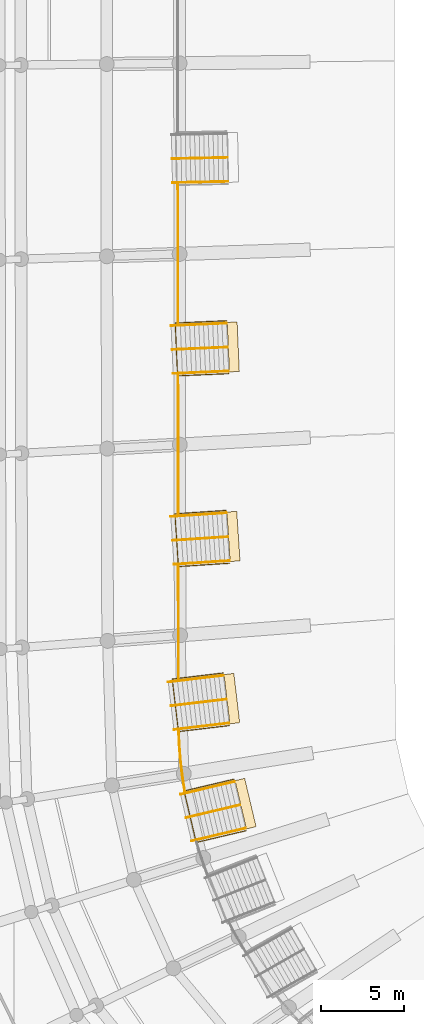
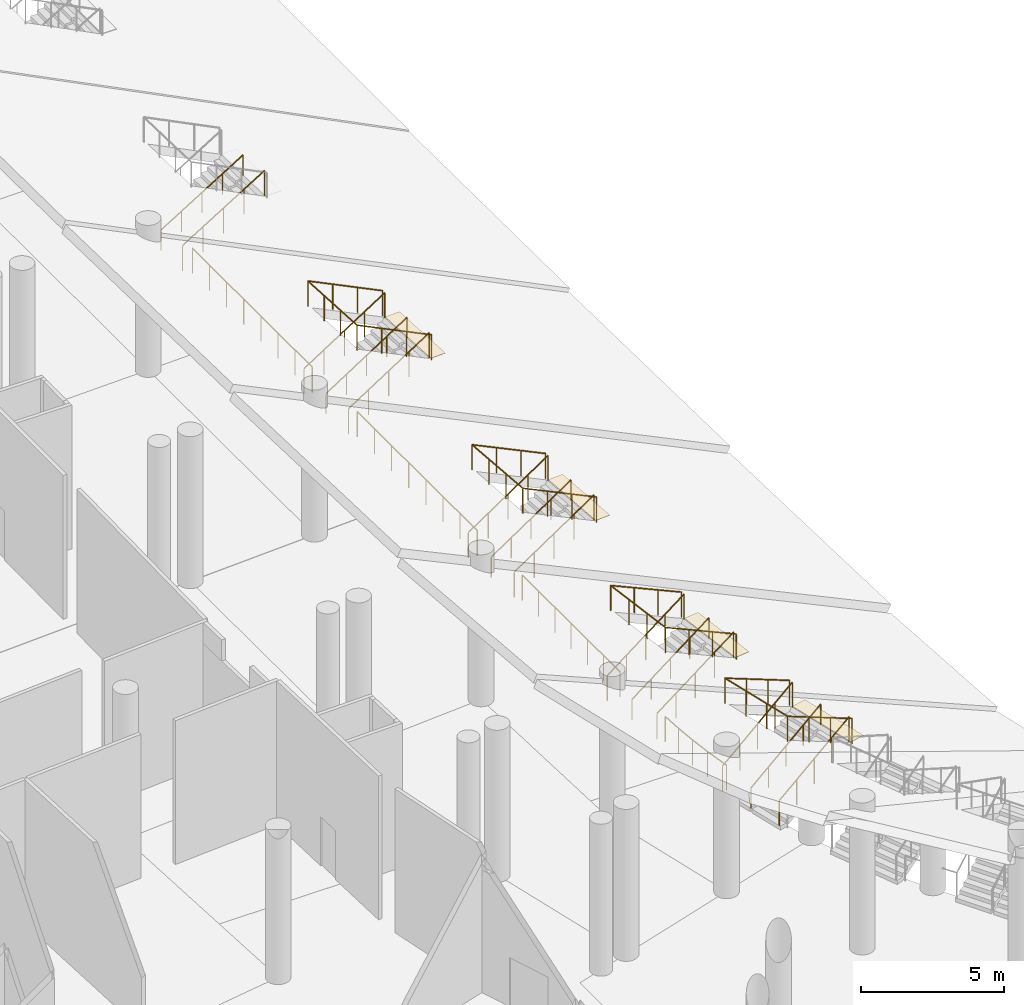
# One storey, part 202 of 255: 22 railings, 4 coverings.
"""IFC4 building model written with IfcOpenShell, lengths in metres."""

import ifcopenshell
import ifcopenshell.guid

model = None  # the IFC model being written
_history = None  # IfcOwnerHistory: only IFC2X3 demands one
_inside = {}  # id of a spatial element -> (the spatial element, [elements in it])
_under = {}  # id of a project, library or spatial element -> (it, [spatial elements below it])
_declared = {}  # id of a project -> (the project, [libraries it declares])
_typed = {}  # id of a type object -> (the type object, [elements of that type])
_made_of = {}  # id of a material, layer set ... -> (it, [elements and type objects made of it])


def new_model(schema):
    """Start an empty IFC model of exactly this schema.

    Asked for "IFC4X3", IfcOpenShell would pick the latest addendum, in which some entities
    have other attributes; the version numbers below select the first issue.
    IFC2X3 requires an IfcOwnerHistory on every rooted entity: one is made here for all.
    """
    global model, _history
    if schema == "IFC4X3":
        model = ifcopenshell.file(schema_version=(4, 3, 0, 0))
    else:
        model = ifcopenshell.file(schema=schema)
    _inside.clear()
    _under.clear()
    _declared.clear()
    _typed.clear()
    _made_of.clear()
    _history = None
    if model.schema == "IFC2X3":
        org = make("IfcOrganization", Name="unknown")
        user = make(
            "IfcPersonAndOrganization",
            ThePerson=make("IfcPerson", FamilyName="unknown"),
            TheOrganization=org,
        )
        app = make(
            "IfcApplication",
            ApplicationDeveloper=org,
            Version="unknown",
            ApplicationFullName="unknown",
            ApplicationIdentifier="unknown",
        )
        _history = make(
            "IfcOwnerHistory",
            OwningUser=user,
            OwningApplication=app,
            ChangeAction="ADDED",
            CreationDate=0,
        )
    return model


def make(cls, **values):
    """One entity of the class cls with the attributes given. An attribute that is None is left unset."""
    return model.create_entity(
        cls, **{name: value for name, value in values.items() if value is not None}
    )


def rooted(cls, **values):
    """An entity with a GlobalId (a new one), such as an element, a storey or a relation."""
    return make(cls, GlobalId=ifcopenshell.guid.new(), OwnerHistory=_history, **values)


def si_unit(unit_type, name, prefix=None):
    """IfcSIUnit, for example si_unit("LENGTHUNIT", "METRE", prefix="MILLI")."""
    return make("IfcSIUnit", UnitType=unit_type, Prefix=prefix, Name=name)


def assignment(units):
    """IfcUnitAssignment: the units of a project."""
    return None if units is None else make("IfcUnitAssignment", Units=units)


def point(xyz):
    """IfcCartesianPoint."""
    return None if xyz is None else make("IfcCartesianPoint", Coordinates=xyz)


def direction(xyz):
    """IfcDirection."""
    return None if xyz is None else make("IfcDirection", DirectionRatios=xyz)


def frame(location, z_axis=None, x_axis=None):
    """IfcAxis2Placement3D, a coordinate frame: its origin and axes. An axis left out is left unset."""
    return make(
        "IfcAxis2Placement3D",
        Location=point(location),
        Axis=direction(z_axis),
        RefDirection=direction(x_axis),
    )


def frame_2d(location, x_axis=None):
    """IfcAxis2Placement2D, a coordinate frame in the plane: its origin and x axis."""
    return make(
        "IfcAxis2Placement2D", Location=point(location), RefDirection=direction(x_axis)
    )


def origin():
    """The frame at (0, 0, 0) with its axes left unset."""
    return frame((0.0, 0.0, 0.0))


def origin_2d():
    """The frame at (0, 0) in the plane with its x axis left unset."""
    return frame_2d((0.0, 0.0))


def place(relative_to, where):
    """IfcLocalPlacement: puts the frame where relative to a parent placement (None: the world)."""
    return make(
        "IfcLocalPlacement", PlacementRelTo=relative_to, RelativePlacement=where
    )


def context(
    kind, dimensions, precision=None, world=None, true_north=None, identifier=None
):
    """IfcGeometricRepresentationContext, for example the 3D "Model" context."""
    return make(
        "IfcGeometricRepresentationContext",
        ContextIdentifier=identifier,
        ContextType=kind,
        CoordinateSpaceDimension=dimensions,
        Precision=precision,
        WorldCoordinateSystem=world,
        TrueNorth=true_north,
    )


def subcontext(parent, identifier, kind, view, scale=None):
    """IfcGeometricRepresentationSubContext, for example "Body" below "Model"."""
    return make(
        "IfcGeometricRepresentationSubContext",
        ContextIdentifier=identifier,
        ContextType=kind,
        ParentContext=parent,
        TargetScale=scale,
        TargetView=view,
    )


def project(units=None, contexts=None):
    """IfcProject with its units and contexts."""
    return rooted(
        "IfcProject",
        Name="project",
        RepresentationContexts=contexts,
        UnitsInContext=assignment(units),
    )


def spatial(cls, under=None, at=None, **own):
    """A site, building, storey or space (cls), placed at a placement, below another one or the project."""
    s = rooted(cls, ObjectPlacement=at, **own)
    if under is not None:
        _under.setdefault(under.id(), (under, []))[1].append(s)
    return s


def profile(cls, at=None, kind="AREA", **sizes):
    """A parametric profile (cls). Its sizes go by their IFC names, for example OverallWidth=200.0."""
    return make(cls, ProfileType=kind, Position=at, **sizes)


def rectangle(**sizes):
    """IfcRectangleProfileDef."""
    return profile("IfcRectangleProfileDef", **sizes)


def circle(**sizes):
    """IfcCircleProfileDef."""
    return profile("IfcCircleProfileDef", **sizes)


def extrude(swept, where, along, depth):
    """IfcExtrudedAreaSolid: the profile swept, set in the frame where, extruded along a direction by depth."""
    return make(
        "IfcExtrudedAreaSolid",
        SweptArea=swept,
        Position=where,
        ExtrudedDirection=direction(along),
        Depth=depth,
    )


def shape(context_of_items, identifier, shape_type, items):
    """IfcShapeRepresentation: the items that make up one representation, for example the "Body"."""
    return make(
        "IfcShapeRepresentation",
        ContextOfItems=context_of_items,
        RepresentationIdentifier=identifier,
        RepresentationType=shape_type,
        Items=items,
    )


def material(Name=None, Category=None):
    """IfcMaterial."""
    return make("IfcMaterial", Name=Name, Category=Category)


def layer(
    of_material, thickness, ventilated=None, Name=None, Category=None, Priority=None
):
    """IfcMaterialLayer: one layer of a wall or slab, of a material (None: an air gap)."""
    return make(
        "IfcMaterialLayer",
        Material=of_material,
        LayerThickness=thickness,
        IsVentilated=ventilated,
        Name=Name,
        Category=Category,
        Priority=Priority,
    )


def layer_set(layers, Name=None):
    """IfcMaterialLayerSet."""
    return make("IfcMaterialLayerSet", MaterialLayers=layers, LayerSetName=Name)


def made_of(thing, what):
    """Note that an element or type object is made of a material, layer set ...; save() writes the relation."""
    if what is not None:
        _made_of.setdefault(what.id(), (what, []))[1].append(thing)
    return thing


def type_object(cls, material=None, **own):
    """A type object (cls), such as IfcWallType, which elements share."""
    return made_of(rooted(cls, **own), material)


def element(
    cls,
    number,
    at=None,
    inside=None,
    cuts=None,
    type_object=None,
    material=None,
    context=None,
    identifier="Body",
    shape_type=None,
    held_by="IfcProductDefinitionShape",
    body=None,
    shapes=None,
    **own,
):
    """One element of the class cls, such as IfcWall. Its Tag is "e" and its number.

    at: its placement. inside: the storey or other place that contains it. cuts: it is an
    opening in that element (IfcRelVoidsElement). A single representation is given by context,
    identifier, shape_type and body (its items); several are given by shapes. held_by: the class
    of the entity that holds the representations. save() writes the other relations.
    """
    e = rooted(cls, Tag="e%d" % number, ObjectPlacement=at, **own)
    if body is not None:
        shapes = [shape(context, identifier, shape_type, body)]
    if shapes is not None:
        e.Representation = make(held_by, Representations=shapes)
    if inside is not None:
        _inside.setdefault(inside.id(), (inside, []))[1].append(e)
    if cuts is not None:
        rooted(
            "IfcRelVoidsElement", RelatingBuildingElement=cuts, RelatedOpeningElement=e
        )
    if type_object is not None:
        _typed.setdefault(type_object.id(), (type_object, []))[1].append(e)
    return made_of(e, material)


def aggregate(whole, parts):
    """IfcRelAggregates: a whole, such as a stair, and the parts it consists of."""
    return rooted("IfcRelAggregates", RelatingObject=whole, RelatedObjects=parts)


def save(model, path):
    """Write the relations noted so far, then the file.

    IfcRelAggregates (storeys below a building ...), IfcRelContainedInSpatialStructure (elements
    in a storey), IfcRelDefinesByType, IfcRelAssociatesMaterial and IfcRelDeclares: one each for
    every whole, place, type object, material and project.
    """
    for whole, parts in _under.values():
        aggregate(whole, parts)
    for where, things in _inside.values():
        rooted(
            "IfcRelContainedInSpatialStructure",
            RelatedElements=things,
            RelatingStructure=where,
        )
    for kind, things in _typed.values():
        rooted("IfcRelDefinesByType", RelatedObjects=things, RelatingType=kind)
    for what, things in _made_of.values():
        rooted("IfcRelAssociatesMaterial", RelatedObjects=things, RelatingMaterial=what)
    for by, libraries in _declared.values():
        rooted("IfcRelDeclares", RelatingContext=by, RelatedDefinitions=libraries)
    model.write(path)


model = new_model("IFC4")

# Units and contexts
model_context = context("Model", 3, precision=1e-05, world=origin(), true_north=direction((0.0, 1.0)))
body_context = subcontext(model_context, "Body", "Model", "MODEL_VIEW")
ifc_project = project(units=[si_unit("LENGTHUNIT", "METRE"), si_unit("AREAUNIT", "SQUARE_METRE"), si_unit("VOLUMEUNIT", "CUBIC_METRE"), si_unit("PLANEANGLEUNIT", "RADIAN"), si_unit("MASSUNIT", "GRAM", prefix="KILO")], contexts=[model_context])

# Site, building, storey
site_placement = place(None, origin())
site = spatial("IfcSite", under=ifc_project, at=site_placement, CompositionType="ELEMENT")
building_placement = place(site_placement, origin())
building = spatial("IfcBuilding", under=site, at=building_placement, Name="Meseta Stadium", CompositionType="ELEMENT")
storey_placement = place(building_placement, origin())
storey = spatial("IfcBuildingStorey", under=building, at=storey_placement, Name="L00", CompositionType="ELEMENT", Elevation=0.0)

# Railings
ifc_material_1 = material(Name="Steel S355", Category="steel")
railing_type_1 = type_object("IfcRailingType", Name="Plate edge guard 1100", PredefinedType="GUARDRAIL", material=ifc_material_1)
railing_1_placement = place(storey_placement, frame((-54.095947265625, -13.107421875, 0.0)))
element("IfcRailing", 1, at=railing_1_placement, inside=storey, type_object=railing_type_1, Name="L00 inner edge guard 35", PredefinedType="GUARDRAIL", context=body_context, shape_type="SweptSolid", body=[
    extrude(circle(Radius=0.02490234375, at=origin_2d()), frame((0.0, 0.0, 1.0751953125), z_axis=(0.000814284613, -0.99999966847, 0.0), x_axis=(0.99999966847, 0.000814284613, 0.0)), (0.0, 0.0, 1.0), 8.39501953125),
    extrude(circle(Radius=0.02001953125, at=origin_2d()), origin(), (0.0, 0.0, 1.0), 1.050048828125),
    extrude(circle(Radius=0.02001953125, at=origin_2d()), frame((0.0009765625, -1.19921875, 0.0)), (0.0, 0.0, 1.0), 1.050048828125),
    extrude(circle(Radius=0.02001953125, at=origin_2d()), frame((0.001953125, -2.398681640625, 0.0)), (0.0, 0.0, 1.0), 1.050048828125),
    extrude(circle(Radius=0.02001953125, at=origin_2d()), frame((0.0029296875, -3.597900390625, 0.0)), (0.0, 0.0, 1.0), 1.050048828125),
    extrude(circle(Radius=0.02001953125, at=origin_2d()), frame((0.00390625, -4.797119140625, 0.0)), (0.0, 0.0, 1.0), 1.050048828125),
    extrude(circle(Radius=0.02001953125, at=origin_2d()), frame((0.0048828125, -5.996337890625, 0.0)), (0.0, 0.0, 1.0), 1.050048828125),
    extrude(circle(Radius=0.02001953125, at=origin_2d()), frame((0.005859375, -7.19580078125, 0.0)), (0.0, 0.0, 1.0), 1.050048828125),
    extrude(circle(Radius=0.02001953125, at=origin_2d()), frame((0.0068359375, -8.39501953125, 0.0)), (0.0, 0.0, 1.0), 1.050048828125),
])
railing_2_placement = place(storey_placement, frame((-54.085693359375, -24.6455078125, 0.0)))
element("IfcRailing", 2, at=railing_2_placement, inside=storey, type_object=railing_type_1, Name="L00 inner edge guard 36", PredefinedType="GUARDRAIL", context=body_context, shape_type="SweptSolid", body=[
    extrude(circle(Radius=0.02490234375, at=origin_2d()), frame((0.0, 0.0, 1.0751953125), z_axis=(0.001338375292, -0.999999104375, 0.0), x_axis=(0.999999104375, 0.001338375292, 0.0)), (0.0, 0.0, 1.0), 8.39111328125),
    extrude(circle(Radius=0.02001953125, at=origin_2d()), origin(), (0.0, 0.0, 1.0), 1.050048828125),
    extrude(circle(Radius=0.02001953125, at=origin_2d()), frame((0.001708984375, -1.19873046875, 0.0)), (0.0, 0.0, 1.0), 1.050048828125),
    extrude(circle(Radius=0.02001953125, at=origin_2d()), frame((0.003173828125, -2.3974609375, 0.0)), (0.0, 0.0, 1.0), 1.050048828125),
    extrude(circle(Radius=0.02001953125, at=origin_2d()), frame((0.0048828125, -3.59619140625, 0.0)), (0.0, 0.0, 1.0), 1.050048828125),
    extrude(circle(Radius=0.02001953125, at=origin_2d()), frame((0.00634765625, -4.794921875, 0.0)), (0.0, 0.0, 1.0), 1.050048828125),
    extrude(circle(Radius=0.02001953125, at=origin_2d()), frame((0.008056640625, -5.99365234375, 0.0)), (0.0, 0.0, 1.0), 1.050048828125),
    extrude(circle(Radius=0.02001953125, at=origin_2d()), frame((0.009521484375, -7.1923828125, 0.0)), (0.0, 0.0, 1.0), 1.050048828125),
    extrude(circle(Radius=0.02001953125, at=origin_2d()), frame((0.01123046875, -8.39111328125, 0.0)), (0.0, 0.0, 1.0), 1.050048828125),
])
railing_3_placement = place(storey_placement, frame((-54.0693359375, -36.18310546875, 0.0)))
element("IfcRailing", 3, at=railing_3_placement, inside=storey, type_object=railing_type_1, Name="L00 inner edge guard 37", PredefinedType="GUARDRAIL", context=body_context, shape_type="SweptSolid", body=[
    extrude(circle(Radius=0.02490234375, at=origin_2d()), frame((0.0, 0.0, 1.0751953125), z_axis=(0.001861794124, -0.99999826686, 0.0), x_axis=(0.99999826686, 0.001861794124, 0.0)), (0.0, 0.0, 1.0), 6.81884765625),
    extrude(circle(Radius=0.02001953125, at=origin_2d()), origin(), (0.0, 0.0, 1.0), 1.050048828125),
    extrude(circle(Radius=0.02001953125, at=origin_2d()), frame((0.002197265625, -1.136474609375, 0.0)), (0.0, 0.0, 1.0), 1.050048828125),
    extrude(circle(Radius=0.02001953125, at=origin_2d()), frame((0.004150390625, -2.27294921875, 0.0)), (0.0, 0.0, 1.0), 1.050048828125),
    extrude(circle(Radius=0.02001953125, at=origin_2d()), frame((0.00634765625, -3.409423828125, 0.0)), (0.0, 0.0, 1.0), 1.050048828125),
    extrude(circle(Radius=0.02001953125, at=origin_2d()), frame((0.008544921875, -4.5458984375, 0.0)), (0.0, 0.0, 1.0), 1.050048828125),
    extrude(circle(Radius=0.02001953125, at=origin_2d()), frame((0.010498046875, -5.682373046875, 0.0)), (0.0, 0.0, 1.0), 1.050048828125),
    extrude(circle(Radius=0.02001953125, at=origin_2d()), frame((0.0126953125, -6.81884765625, 0.0)), (0.0, 0.0, 1.0), 1.050048828125),
])
railing_4_placement = place(storey_placement, frame((-54.049072265625, -46.1630859375, 0.0)))
element("IfcRailing", 4, at=railing_4_placement, inside=storey, type_object=railing_type_1, Name="L00 inner edge guard 38", PredefinedType="GUARDRAIL", context=body_context, shape_type="SweptSolid", body=[
    extrude(circle(Radius=0.02490234375, at=origin_2d()), frame((0.0, 0.0, 1.0751953125), z_axis=(0.047537937473, -0.99886943316, 0.0), x_axis=(0.99886943316, 0.047537937473, 0.0)), (0.0, 0.0, 1.0), 0.8525390625),
    extrude(circle(Radius=0.02490234375, at=origin_2d()), frame((0.04052734375, -0.8515625, 1.0751953125), z_axis=(0.080210130569, -0.99677797676, 0.0), x_axis=(0.99677797676, 0.080210130569, 0.0)), (0.0, 0.0, 1.0), 0.876708984375),
    extrude(circle(Radius=0.02490234375, at=origin_2d()), frame((0.11083984375, -1.725341796875, 1.0751953125), z_axis=(0.112509767376, -0.993650618802, 0.0), x_axis=(0.993650618802, 0.112509767376, 0.0)), (0.0, 0.0, 1.0), 0.876708984375),
    extrude(circle(Radius=0.02490234375, at=origin_2d()), frame((0.20947265625, -2.596435546875, 1.0751953125), z_axis=(0.150740722713, -0.988573332897, 0.0), x_axis=(0.988573332897, 0.150740722713, 0.0)), (0.0, 0.0, 1.0), 1.059326171875),
    extrude(circle(Radius=0.02001953125, at=origin_2d()), origin(), (0.0, 0.0, 1.0), 1.050048828125),
    extrude(circle(Radius=0.02001953125, at=origin_2d()), frame((0.04052734375, -0.8515625, 0.0)), (0.0, 0.0, 1.0), 1.050048828125),
    extrude(circle(Radius=0.02001953125, at=origin_2d()), frame((0.11083984375, -1.725341796875, 0.0)), (0.0, 0.0, 1.0), 1.050048828125),
    extrude(circle(Radius=0.02001953125, at=origin_2d()), frame((0.20947265625, -2.596435546875, 0.0)), (0.0, 0.0, 1.0), 1.050048828125),
    extrude(circle(Radius=0.02001953125, at=origin_2d()), frame((0.369140625, -3.6435546875, 0.0)), (0.0, 0.0, 1.0), 1.050048828125),
])

# Coverings
ifc_material_2 = material(Name="Stone paving", Category="masonry")
ifc_layer = layer(ifc_material_2, 0.02001953125)
ifc_layer_set = layer_set([ifc_layer], Name="Vomitory exit threshold plate 20")
covering_type = type_object("IfcCoveringType", Name="Vomitory exit threshold plate 20", PredefinedType="FLOORING", material=ifc_layer_set)
for number, where, z_axis, x_axis, name in (
    (5, (-50.748779296875, -22.927490234375, 2.130615234375), (0.0, 0.0, 1.0), (0.999039522965, 0.043818164662, 0.0), "Vomitory V-lower-35 exit threshold"),
    (6, (-50.737060546875, -34.390380859375, 2.130615234375), (0.0, 0.0, 1.0), (0.997842912451, 0.065646950207, 0.0), "Vomitory V-lower-36 exit threshold"),
    (7, (-50.83349609375, -44.199951171875, 2.228515625), (0.0, 0.0, 1.0), (0.993015017931, 0.117988025512, 0.0), "Vomitory V-lower-37 exit threshold"),
    (8, (-50.00439453125, -50.55224609375, 2.11767578125), (0.0, 0.0, 1.0), (0.973256309483, 0.229721910255, 0.0), "Vomitory V-lower-38 exit threshold"),
):
    element("IfcCovering", number, at=place(storey_placement, frame(where, z_axis=z_axis, x_axis=x_axis)), inside=storey, type_object=covering_type, Name=name, PredefinedType="FLOORING", context=body_context, shape_type="SweptSolid", body=[
        extrude(rectangle(XDim=0.60009765625, YDim=3.0, at=origin_2d()), origin(), (0.0, 0.0, 1.0), 0.02001953125),
    ])

# Railings
ifc_material_3 = material(Name="Steel S355", Category="steel")
railing_type_2 = type_object("IfcRailingType", Name="Vomitory slot guard 1100", PredefinedType="GUARDRAIL", material=ifc_material_3)
railing_5_placement = place(storey_placement, frame((-51.01953125, -24.541015625, 2.150634765625)))
element("IfcRailing", 9, at=railing_5_placement, inside=storey, type_object=railing_type_2, Name="Vomitory V-lower-35 slot guard", PredefinedType="GUARDRAIL", context=body_context, shape_type="SweptSolid", body=[
    extrude(circle(Radius=0.02490234375, at=origin_2d()), frame((0.0, 0.0, 1.0751953125), z_axis=(-0.889983105268, -0.039006038667, 0.454322133826), x_axis=(0.043785808256, -0.999040941601, 0.0)), (0.0, 0.0, 1.0), 3.47998046875),
    extrude(circle(Radius=0.02490234375, at=origin_2d()), frame((-3.09716796875, -0.1357421875, 2.65625), z_axis=(-0.04379147445, 0.999040693248, 0.0), x_axis=(-0.999040693248, -0.04379147445, 0.0)), (0.0, 0.0, 1.0), 3.2001953125),
    extrude(circle(Radius=0.02490234375, at=origin_2d()), frame((-3.2373046875, 3.061279296875, 2.65625), z_axis=(0.889968516621, 0.039008474201, -0.454350501666), x_axis=(-0.043789253415, 0.999040790601, 0.0)), (0.0, 0.0, 1.0), 3.479736328125),
    extrude(circle(Radius=0.02001953125, at=origin_2d()), origin(), (0.0, 0.0, 1.0), 1.050048828125),
    extrude(circle(Radius=0.02001953125, at=origin_2d()), frame((-1.032470703125, -0.045166015625, 0.527099609375)), (0.0, 0.0, 1.0), 1.050048828125),
    extrude(circle(Radius=0.02001953125, at=origin_2d()), frame((-2.064697265625, -0.090576171875, 1.053955078125)), (0.0, 0.0, 1.0), 1.050048828125),
    extrude(circle(Radius=0.02001953125, at=origin_2d()), frame((-3.09716796875, -0.1357421875, 1.5810546875)), (0.0, 0.0, 1.0), 1.050048828125),
    extrude(circle(Radius=0.02001953125, at=origin_2d()), frame((-3.143798828125, 0.929931640625, 1.5810546875)), (0.0, 0.0, 1.0), 1.050048828125),
    extrude(circle(Radius=0.02001953125, at=origin_2d()), frame((-3.190673828125, 1.99560546875, 1.5810546875)), (0.0, 0.0, 1.0), 1.050048828125),
    extrude(circle(Radius=0.02001953125, at=origin_2d()), frame((-3.2373046875, 3.061279296875, 1.5810546875)), (0.0, 0.0, 1.0), 1.050048828125),
    extrude(circle(Radius=0.02001953125, at=origin_2d()), frame((-2.205078125, 3.1064453125, 1.053955078125)), (0.0, 0.0, 1.0), 1.050048828125),
    extrude(circle(Radius=0.02001953125, at=origin_2d()), frame((-1.172607421875, 3.15185546875, 0.527099609375)), (0.0, 0.0, 1.0), 1.050048828125),
    extrude(circle(Radius=0.02001953125, at=origin_2d()), frame((-0.140380859375, 3.197021484375, 0.0)), (0.0, 0.0, 1.0), 1.050048828125),
])
railing_6_placement = place(storey_placement, frame((-50.97265625, -36.009521484375, 2.150634765625)))
element("IfcRailing", 10, at=railing_6_placement, inside=storey, type_object=railing_type_2, Name="Vomitory V-lower-36 slot guard", PredefinedType="GUARDRAIL", context=body_context, shape_type="SweptSolid", body=[
    extrude(circle(Radius=0.02490234375, at=origin_2d()), frame((0.0, 0.0, 1.0751953125), z_axis=(-0.888906442496, -0.05844191528, 0.454345550245), x_axis=(0.065604221541, -0.997845722602, 0.0)), (0.0, 0.0, 1.0), 3.479736328125),
    extrude(circle(Radius=0.02490234375, at=origin_2d()), frame((-3.09326171875, -0.203369140625, 2.65625), z_axis=(-0.065617568946, 0.997844844976, 0.0), x_axis=(-0.997844844976, -0.065617568946, 0.0)), (0.0, 0.0, 1.0), 3.19970703125),
    extrude(circle(Radius=0.02490234375, at=origin_2d()), frame((-3.30322265625, 2.989501953125, 2.65625), z_axis=(0.888902795646, 0.058511833589, -0.454343686236), x_axis=(-0.06568263854, 0.997840563915, 0.0)), (0.0, 0.0, 1.0), 3.47998046875),
    extrude(circle(Radius=0.02001953125, at=origin_2d()), origin(), (0.0, 0.0, 1.0), 1.050048828125),
    extrude(circle(Radius=0.02001953125, at=origin_2d()), frame((-1.031005859375, -0.06787109375, 0.527099609375)), (0.0, 0.0, 1.0), 1.050048828125),
    extrude(circle(Radius=0.02001953125, at=origin_2d()), frame((-2.062255859375, -0.135498046875, 1.053955078125)), (0.0, 0.0, 1.0), 1.050048828125),
    extrude(circle(Radius=0.02001953125, at=origin_2d()), frame((-3.09326171875, -0.203369140625, 1.5810546875)), (0.0, 0.0, 1.0), 1.050048828125),
    extrude(circle(Radius=0.02001953125, at=origin_2d()), frame((-3.163330078125, 0.86083984375, 1.5810546875)), (0.0, 0.0, 1.0), 1.050048828125),
    extrude(circle(Radius=0.02001953125, at=origin_2d()), frame((-3.233154296875, 1.92529296875, 1.5810546875)), (0.0, 0.0, 1.0), 1.050048828125),
    extrude(circle(Radius=0.02001953125, at=origin_2d()), frame((-3.30322265625, 2.989501953125, 1.5810546875)), (0.0, 0.0, 1.0), 1.050048828125),
    extrude(circle(Radius=0.02001953125, at=origin_2d()), frame((-2.272216796875, 3.057373046875, 1.053955078125)), (0.0, 0.0, 1.0), 1.050048828125),
    extrude(circle(Radius=0.02001953125, at=origin_2d()), frame((-1.240966796875, 3.125244140625, 0.527099609375)), (0.0, 0.0, 1.0), 1.050048828125),
    extrude(circle(Radius=0.02001953125, at=origin_2d()), frame((-0.2099609375, 3.193115234375, 0.0)), (0.0, 0.0, 1.0), 1.050048828125),
])
railing_7_placement = place(storey_placement, frame((-50.9833984375, -45.8291015625, 2.24853515625)))
element("IfcRailing", 11, at=railing_7_placement, inside=storey, type_object=railing_type_2, Name="Vomitory V-lower-37 slot guard", PredefinedType="GUARDRAIL", context=body_context, shape_type="SweptSolid", body=[
    extrude(circle(Radius=0.02490234375, at=origin_2d()), frame((0.0, 0.0, 1.0751953125), z_axis=(-0.884609156729, -0.105095131793, 0.454336497659), x_axis=(0.117974377502, -0.993016639464, 0.0)), (0.0, 0.0, 1.0), 3.47998046875),
    extrude(circle(Radius=0.02490234375, at=origin_2d()), frame((-3.078369140625, -0.36572265625, 2.65625), z_axis=(-0.117947803089, 0.993019796251, 0.0), x_axis=(-0.993019796251, -0.117947803089, 0.0)), (0.0, 0.0, 1.0), 3.199951171875),
    extrude(circle(Radius=0.02490234375, at=origin_2d()), frame((-3.455810546875, 2.81201171875, 2.65625), z_axis=(0.884593898509, 0.105101654502, -0.454364695967), x_axis=(-0.117983604359, 0.993015543233, 0.0)), (0.0, 0.0, 1.0), 3.479736328125),
    extrude(circle(Radius=0.02001953125, at=origin_2d()), origin(), (0.0, 0.0, 1.0), 1.050048828125),
    extrude(circle(Radius=0.02001953125, at=origin_2d()), frame((-1.026123046875, -0.121826171875, 0.527099609375)), (0.0, 0.0, 1.0), 1.050048828125),
    extrude(circle(Radius=0.02001953125, at=origin_2d()), frame((-2.05224609375, -0.243896484375, 1.053955078125)), (0.0, 0.0, 1.0), 1.050048828125),
    extrude(circle(Radius=0.02001953125, at=origin_2d()), frame((-3.078369140625, -0.36572265625, 1.5810546875)), (0.0, 0.0, 1.0), 1.050048828125),
    extrude(circle(Radius=0.02001953125, at=origin_2d()), frame((-3.2041015625, 0.693603515625, 1.5810546875)), (0.0, 0.0, 1.0), 1.050048828125),
    extrude(circle(Radius=0.02001953125, at=origin_2d()), frame((-3.330078125, 1.752685546875, 1.5810546875)), (0.0, 0.0, 1.0), 1.050048828125),
    extrude(circle(Radius=0.02001953125, at=origin_2d()), frame((-3.455810546875, 2.81201171875, 1.5810546875)), (0.0, 0.0, 1.0), 1.050048828125),
    extrude(circle(Radius=0.02001953125, at=origin_2d()), frame((-2.4296875, 2.933837890625, 1.053955078125)), (0.0, 0.0, 1.0), 1.050048828125),
    extrude(circle(Radius=0.02001953125, at=origin_2d()), frame((-1.40380859375, 3.055908203125, 0.527099609375)), (0.0, 0.0, 1.0), 1.050048828125),
    extrude(circle(Radius=0.02001953125, at=origin_2d()), frame((-0.377685546875, 3.177734375, 0.0)), (0.0, 0.0, 1.0), 1.050048828125),
])
railing_8_placement = place(storey_placement, frame((-49.968994140625, -52.187744140625, 2.1376953125)))
element("IfcRailing", 12, at=railing_8_placement, inside=storey, type_object=railing_type_2, Name="Vomitory V-lower-38 slot guard", PredefinedType="GUARDRAIL", context=body_context, shape_type="SweptSolid", body=[
    extrude(circle(Radius=0.02490234375, at=origin_2d()), frame((0.0, 0.0, 1.0751953125), z_axis=(-0.867031302816, -0.204655309137, 0.454282868242), x_axis=(0.229728447463, -0.973254766454, 0.0)), (0.0, 0.0, 1.0), 3.479736328125),
    extrude(circle(Radius=0.02490234375, at=origin_2d()), frame((-3.01708984375, -0.712158203125, 2.65576171875), z_axis=(-0.229732459273, 0.973253819492, 0.0), x_axis=(-0.973253819492, -0.229732459273, 0.0)), (0.0, 0.0, 1.0), 3.199951171875),
    extrude(circle(Radius=0.02490234375, at=origin_2d()), frame((-3.752197265625, 2.402099609375, 2.65576171875), z_axis=(0.867031302816, 0.204655309137, -0.454282868242), x_axis=(-0.229728447463, 0.973254766454, 0.0)), (0.0, 0.0, 1.0), 3.479736328125),
    extrude(circle(Radius=0.02001953125, at=origin_2d()), origin(), (0.0, 0.0, 1.0), 1.050048828125),
    extrude(circle(Radius=0.02001953125, at=origin_2d()), frame((-1.005615234375, -0.2373046875, 0.52685546875)), (0.0, 0.0, 1.0), 1.050048828125),
    extrude(circle(Radius=0.02001953125, at=origin_2d()), frame((-2.011474609375, -0.474853515625, 1.053955078125)), (0.0, 0.0, 1.0), 1.050048828125),
    extrude(circle(Radius=0.02001953125, at=origin_2d()), frame((-3.01708984375, -0.712158203125, 1.580810546875)), (0.0, 0.0, 1.0), 1.050048828125),
    extrude(circle(Radius=0.02001953125, at=origin_2d()), frame((-3.26220703125, 0.325927734375, 1.580810546875)), (0.0, 0.0, 1.0), 1.050048828125),
    extrude(circle(Radius=0.02001953125, at=origin_2d()), frame((-3.507080078125, 1.364013671875, 1.580810546875)), (0.0, 0.0, 1.0), 1.050048828125),
    extrude(circle(Radius=0.02001953125, at=origin_2d()), frame((-3.752197265625, 2.402099609375, 1.580810546875)), (0.0, 0.0, 1.0), 1.050048828125),
    extrude(circle(Radius=0.02001953125, at=origin_2d()), frame((-2.74658203125, 2.639404296875, 1.053955078125)), (0.0, 0.0, 1.0), 1.050048828125),
    extrude(circle(Radius=0.02001953125, at=origin_2d()), frame((-1.74072265625, 2.876953125, 0.52685546875)), (0.0, 0.0, 1.0), 1.050048828125),
    extrude(circle(Radius=0.02001953125, at=origin_2d()), frame((-0.735107421875, 3.1142578125, 0.0)), (0.0, 0.0, 1.0), 1.050048828125),
])
ifc_material_4 = material(Name="Steel S355", Category="steel")
railing_type_3 = type_object("IfcRailingType", Name="Vomitory stair guard 1100", PredefinedType="GUARDRAIL", material=ifc_material_4)
railing_9_placement = place(storey_placement, frame((-54.42431640625, -12.99462890625, 0.165283203125)))
element("IfcRailing", 13, at=railing_9_placement, inside=storey, type_object=railing_type_3, Name="Vomitory V-lower-34 guard right", PredefinedType="GUARDRAIL", context=body_context, shape_type="SweptSolid", body=[
    extrude(circle(Radius=0.02490234375, at=origin_2d()), frame((0.0, 0.0, 1.0751953125), z_axis=(0.860726790282, 0.018892324345, 0.508716495281), x_axis=(-0.021943984224, 0.999759201786, 0.0)), (0.0, 0.0, 1.0), 3.902587890625),
    extrude(circle(Radius=0.02001953125, at=origin_2d()), origin(), (0.0, 0.0, 1.0), 1.050048828125),
    extrude(circle(Radius=0.02001953125, at=origin_2d()), frame((0.83984375, 0.0185546875, 0.496337890625)), (0.0, 0.0, 1.0), 1.050048828125),
    extrude(circle(Radius=0.02001953125, at=origin_2d()), frame((1.6796875, 0.036865234375, 0.99267578125)), (0.0, 0.0, 1.0), 1.050048828125),
    extrude(circle(Radius=0.02001953125, at=origin_2d()), frame((2.519287109375, 0.05517578125, 1.489013671875)), (0.0, 0.0, 1.0), 1.050048828125),
    extrude(circle(Radius=0.02001953125, at=origin_2d()), frame((3.359130859375, 0.07373046875, 1.9853515625)), (0.0, 0.0, 1.0), 1.050048828125),
])
for number, where, name in (
    (14, (-54.510009765625, -21.64111328125, 0.165283203125), "Vomitory V-lower-35 guard left"),
    (15, (-54.3828125, -24.538330078125, 0.165283203125), "Vomitory V-lower-35 guard right"),
):
    element("IfcRailing", number, at=place(storey_placement, frame(where)), inside=storey, type_object=railing_type_3, Name=name, PredefinedType="GUARDRAIL", context=body_context, shape_type="SweptSolid", body=[
        extrude(circle(Radius=0.02490234375, at=origin_2d()), frame((0.0, 0.0, 1.0751953125), z_axis=(0.860105718609, 0.037722288772, 0.508719158028), x_axis=(-0.043815615664, 0.999039634761, 0.0)), (0.0, 0.0, 1.0), 3.902587890625),
        extrude(circle(Radius=0.02001953125, at=origin_2d()), origin(), (0.0, 0.0, 1.0), 1.050048828125),
        extrude(circle(Radius=0.02001953125, at=origin_2d()), frame((0.839111328125, 0.036865234375, 0.496337890625)), (0.0, 0.0, 1.0), 1.050048828125),
        extrude(circle(Radius=0.02001953125, at=origin_2d()), frame((1.67822265625, 0.07373046875, 0.99267578125)), (0.0, 0.0, 1.0), 1.050048828125),
        extrude(circle(Radius=0.02001953125, at=origin_2d()), frame((2.517578125, 0.1103515625, 1.489013671875)), (0.0, 0.0, 1.0), 1.050048828125),
        extrude(circle(Radius=0.02001953125, at=origin_2d()), frame((3.356689453125, 0.147216796875, 1.9853515625)), (0.0, 0.0, 1.0), 1.050048828125),
    ])
for number, where, name in (
    (16, (-54.525634765625, -33.1865234375, 0.165283203125), "Vomitory V-lower-36 guard left"),
    (17, (-54.335205078125, -36.080322265625, 0.165283203125), "Vomitory V-lower-36 guard right"),
):
    element("IfcRailing", number, at=place(storey_placement, frame(where)), inside=storey, type_object=railing_type_3, Name=name, PredefinedType="GUARDRAIL", context=body_context, shape_type="SweptSolid", body=[
        extrude(circle(Radius=0.02490234375, at=origin_2d()), frame((0.0, 0.0, 1.0751953125), z_axis=(0.859084475855, 0.056488260518, 0.50870712573), x_axis=(-0.06561233567, 0.997845189099, 0.0)), (0.0, 0.0, 1.0), 3.90283203125),
        extrude(circle(Radius=0.02001953125, at=origin_2d()), origin(), (0.0, 0.0, 1.0), 1.050048828125),
        extrude(circle(Radius=0.02001953125, at=origin_2d()), frame((0.838134765625, 0.05517578125, 0.496337890625)), (0.0, 0.0, 1.0), 1.050048828125),
        extrude(circle(Radius=0.02001953125, at=origin_2d()), frame((1.67626953125, 0.1103515625, 0.99267578125)), (0.0, 0.0, 1.0), 1.050048828125),
        extrude(circle(Radius=0.02001953125, at=origin_2d()), frame((2.5146484375, 0.165283203125, 1.489013671875)), (0.0, 0.0, 1.0), 1.050048828125),
        extrude(circle(Radius=0.02001953125, at=origin_2d()), frame((3.352783203125, 0.220458984375, 1.9853515625)), (0.0, 0.0, 1.0), 1.050048828125),
    ])
for number, where, name in (
    (18, (-54.6796875, -43.19677734375, 0.173095703125), "Vomitory V-lower-37 guard left"),
    (19, (-54.337646484375, -46.07666015625, 0.173095703125), "Vomitory V-lower-37 guard right"),
):
    element("IfcRailing", number, at=place(storey_placement, frame(where)), inside=storey, type_object=railing_type_3, Name=name, PredefinedType="GUARDRAIL", context=body_context, shape_type="SweptSolid", body=[
        extrude(circle(Radius=0.02490234375, at=origin_2d()), frame((0.0, 0.0, 1.0751953125), z_axis=(0.844830304724, 0.100395464282, 0.525530690799), x_axis=(-0.118004767911, 0.99301302849, 0.0)), (0.0, 0.0, 1.0), 3.94921875),
        extrude(circle(Radius=0.02001953125, at=origin_2d()), origin(), (0.0, 0.0, 1.0), 1.050048828125),
        extrude(circle(Radius=0.02001953125, at=origin_2d()), frame((0.833984375, 0.09912109375, 0.518798828125)), (0.0, 0.0, 1.0), 1.050048828125),
        extrude(circle(Radius=0.02001953125, at=origin_2d()), frame((1.668212890625, 0.1982421875, 1.03759765625)), (0.0, 0.0, 1.0), 1.050048828125),
        extrude(circle(Radius=0.02001953125, at=origin_2d()), frame((2.50244140625, 0.29736328125, 1.556640625)), (0.0, 0.0, 1.0), 1.050048828125),
        extrude(circle(Radius=0.02001953125, at=origin_2d()), frame((3.33642578125, 0.396484375, 2.075439453125)), (0.0, 0.0, 1.0), 1.050048828125),
    ])
railing_10_placement = place(storey_placement, frame((-53.939697265625, -49.9912109375, 0.164306640625)))
element("IfcRailing", 20, at=railing_10_placement, inside=storey, type_object=railing_type_3, Name="Vomitory V-lower-38 guard left", PredefinedType="GUARDRAIL", context=body_context, shape_type="SweptSolid", body=[
    extrude(circle(Radius=0.02490234375, at=origin_2d()), frame((0.0, 0.0, 1.0751953125), z_axis=(0.839234260702, 0.198045501909, 0.506422585237), x_axis=(-0.229675110704, 0.973267354596, 0.0)), (0.0, 0.0, 1.0), 3.896728515625),
    extrude(circle(Radius=0.02001953125, at=origin_2d()), origin(), (0.0, 0.0, 1.0), 1.050048828125),
    extrude(circle(Radius=0.02001953125, at=origin_2d()), frame((0.817626953125, 0.19287109375, 0.493408203125)), (0.0, 0.0, 1.0), 1.050048828125),
    extrude(circle(Radius=0.02001953125, at=origin_2d()), frame((1.63525390625, 0.3857421875, 0.98681640625)), (0.0, 0.0, 1.0), 1.050048828125),
    extrude(circle(Radius=0.02001953125, at=origin_2d()), frame((2.45263671875, 0.578857421875, 1.47998046875)), (0.0, 0.0, 1.0), 1.050048828125),
    extrude(circle(Radius=0.02001953125, at=origin_2d()), frame((3.270263671875, 0.771728515625, 1.973388671875)), (0.0, 0.0, 1.0), 1.050048828125),
])
railing_11_placement = place(storey_placement, frame((-53.2734375, -52.813720703125, 0.164306640625)))
element("IfcRailing", 21, at=railing_11_placement, inside=storey, type_object=railing_type_3, Name="Vomitory V-lower-38 guard right", PredefinedType="GUARDRAIL", context=body_context, shape_type="SweptSolid", body=[
    extrude(circle(Radius=0.02490234375, at=origin_2d()), frame((0.0, 0.0, 1.0751953125), z_axis=(0.839205318068, 0.198116112866, 0.50644292862), x_axis=(-0.229760182467, 0.973247275132, 0.0)), (0.0, 0.0, 1.0), 3.896484375),
    extrude(circle(Radius=0.02001953125, at=origin_2d()), origin(), (0.0, 0.0, 1.0), 1.050048828125),
    extrude(circle(Radius=0.02001953125, at=origin_2d()), frame((0.8173828125, 0.19287109375, 0.493408203125)), (0.0, 0.0, 1.0), 1.050048828125),
    extrude(circle(Radius=0.02001953125, at=origin_2d()), frame((1.635009765625, 0.385986328125, 0.98681640625)), (0.0, 0.0, 1.0), 1.050048828125),
    extrude(circle(Radius=0.02001953125, at=origin_2d()), frame((2.45263671875, 0.5791015625, 1.47998046875)), (0.0, 0.0, 1.0), 1.050048828125),
    extrude(circle(Radius=0.02001953125, at=origin_2d()), frame((3.27001953125, 0.77197265625, 1.973388671875)), (0.0, 0.0, 1.0), 1.050048828125),
])
ifc_material_5 = material(Name="Steel S355", Category="steel")
railing_type_4 = type_object("IfcRailingType", Name="Vomitory stair handrail 900", PredefinedType="HANDRAIL", material=ifc_material_5)
railing_12_placement = place(storey_placement, frame((-54.456298828125, -11.545166015625, 0.165283203125)))
element("IfcRailing", 22, at=railing_12_placement, inside=storey, type_object=railing_type_4, Name="Vomitory V-lower-34 central handrail", PredefinedType="HANDRAIL", context=body_context, shape_type="SweptSolid", body=[
    extrude(circle(Radius=0.02490234375, at=origin_2d()), frame((0.0, 0.0, 0.875), z_axis=(0.860743000676, 0.018891307137, 0.50868910476), x_axis=(-0.021942390226, 0.999759236772, 0.0)), (0.0, 0.0, 1.0), 3.90283203125),
    extrude(circle(Radius=0.02001953125, at=origin_2d()), origin(), (0.0, 0.0, 1.0), 0.849853515625),
    extrude(circle(Radius=0.02001953125, at=origin_2d()), frame((0.83984375, 0.0185546875, 0.496337890625)), (0.0, 0.0, 1.0), 0.849853515625),
    extrude(circle(Radius=0.02001953125, at=origin_2d()), frame((1.6796875, 0.036865234375, 0.99267578125)), (0.0, 0.0, 1.0), 0.849853515625),
    extrude(circle(Radius=0.02001953125, at=origin_2d()), frame((2.51953125, 0.05517578125, 1.489013671875)), (0.0, 0.0, 1.0), 0.849853515625),
    extrude(circle(Radius=0.02001953125, at=origin_2d()), frame((3.359375, 0.07373046875, 1.9853515625)), (0.0, 0.0, 1.0), 0.849853515625),
])
railing_13_placement = place(storey_placement, frame((-54.446533203125, -23.089599609375, 0.165283203125)))
element("IfcRailing", 23, at=railing_13_placement, inside=storey, type_object=railing_type_4, Name="Vomitory V-lower-35 central handrail", PredefinedType="HANDRAIL", context=body_context, shape_type="SweptSolid", body=[
    extrude(circle(Radius=0.02490234375, at=origin_2d()), frame((0.0, 0.0, 0.875), z_axis=(0.860121995943, 0.037720259168, 0.508691786982), x_axis=(-0.043812435191, 0.999039774245, 0.0)), (0.0, 0.0, 1.0), 3.90283203125),
    extrude(circle(Radius=0.02001953125, at=origin_2d()), origin(), (0.0, 0.0, 1.0), 0.849853515625),
    extrude(circle(Radius=0.02001953125, at=origin_2d()), frame((0.83935546875, 0.036865234375, 0.496337890625)), (0.0, 0.0, 1.0), 0.849853515625),
    extrude(circle(Radius=0.02001953125, at=origin_2d()), frame((1.678466796875, 0.07373046875, 0.99267578125)), (0.0, 0.0, 1.0), 0.849853515625),
    extrude(circle(Radius=0.02001953125, at=origin_2d()), frame((2.517578125, 0.1103515625, 1.489013671875)), (0.0, 0.0, 1.0), 0.849853515625),
    extrude(circle(Radius=0.02001953125, at=origin_2d()), frame((3.35693359375, 0.147216796875, 1.9853515625)), (0.0, 0.0, 1.0), 0.849853515625),
])
railing_14_placement = place(storey_placement, frame((-54.430419921875, -34.633544921875, 0.165283203125)))
element("IfcRailing", 24, at=railing_14_placement, inside=storey, type_object=railing_type_4, Name="Vomitory V-lower-36 central handrail", PredefinedType="HANDRAIL", context=body_context, shape_type="SweptSolid", body=[
    extrude(circle(Radius=0.02490234375, at=origin_2d()), frame((0.0, 0.0, 0.875), z_axis=(0.85908143845, 0.056550616789, 0.50870532713), x_axis=(-0.065684682745, 0.997840429354, 0.0)), (0.0, 0.0, 1.0), 3.90283203125),
    extrude(circle(Radius=0.02001953125, at=origin_2d()), origin(), (0.0, 0.0, 1.0), 0.849853515625),
    extrude(circle(Radius=0.02001953125, at=origin_2d()), frame((0.838134765625, 0.05517578125, 0.496337890625)), (0.0, 0.0, 1.0), 0.849853515625),
    extrude(circle(Radius=0.02001953125, at=origin_2d()), frame((1.67626953125, 0.1103515625, 0.99267578125)), (0.0, 0.0, 1.0), 0.849853515625),
    extrude(circle(Radius=0.02001953125, at=origin_2d()), frame((2.5146484375, 0.16552734375, 1.489013671875)), (0.0, 0.0, 1.0), 0.849853515625),
    extrude(circle(Radius=0.02001953125, at=origin_2d()), frame((3.352783203125, 0.220703125, 1.9853515625)), (0.0, 0.0, 1.0), 0.849853515625),
])
railing_15_placement = place(storey_placement, frame((-54.5087890625, -44.63671875, 0.173095703125)))
element("IfcRailing", 25, at=railing_15_placement, inside=storey, type_object=railing_type_4, Name="Vomitory V-lower-37 central handrail", PredefinedType="HANDRAIL", context=body_context, shape_type="SweptSolid", body=[
    extrude(circle(Radius=0.02490234375, at=origin_2d()), frame((0.0, 0.0, 0.875), z_axis=(0.844848000001, 0.100390221117, 0.525503244897), x_axis=(-0.117996253847, 0.993014040222, 0.0)), (0.0, 0.0, 1.0), 3.949462890625),
    extrude(circle(Radius=0.02001953125, at=origin_2d()), origin(), (0.0, 0.0, 1.0), 0.849853515625),
    extrude(circle(Radius=0.02001953125, at=origin_2d()), frame((0.834228515625, 0.09912109375, 0.518798828125)), (0.0, 0.0, 1.0), 0.849853515625),
    extrude(circle(Radius=0.02001953125, at=origin_2d()), frame((1.66845703125, 0.1982421875, 1.03759765625)), (0.0, 0.0, 1.0), 0.849853515625),
    extrude(circle(Radius=0.02001953125, at=origin_2d()), frame((2.50244140625, 0.29736328125, 1.556640625)), (0.0, 0.0, 1.0), 0.849853515625),
    extrude(circle(Radius=0.02001953125, at=origin_2d()), frame((3.336669921875, 0.396484375, 2.075439453125)), (0.0, 0.0, 1.0), 0.849853515625),
])
railing_16_placement = place(storey_placement, frame((-53.606689453125, -51.402587890625, 0.164306640625)))
element("IfcRailing", 26, at=railing_16_placement, inside=storey, type_object=railing_type_4, Name="Vomitory V-lower-38 central handrail", PredefinedType="HANDRAIL", context=body_context, shape_type="SweptSolid", body=[
    extrude(circle(Radius=0.02490234375, at=origin_2d()), frame((0.0, 0.0, 0.875), z_axis=(0.839223845941, 0.19810569622, 0.506416300615), x_axis=(-0.229743935175, 0.973251110583, 0.0)), (0.0, 0.0, 1.0), 3.896728515625),
    extrude(circle(Radius=0.02001953125, at=origin_2d()), origin(), (0.0, 0.0, 1.0), 0.849853515625),
    extrude(circle(Radius=0.02001953125, at=origin_2d()), frame((0.817626953125, 0.19287109375, 0.493408203125)), (0.0, 0.0, 1.0), 0.849853515625),
    extrude(circle(Radius=0.02001953125, at=origin_2d()), frame((1.63525390625, 0.385986328125, 0.98681640625)), (0.0, 0.0, 1.0), 0.849853515625),
    extrude(circle(Radius=0.02001953125, at=origin_2d()), frame((2.45263671875, 0.5791015625, 1.47998046875)), (0.0, 0.0, 1.0), 0.849853515625),
    extrude(circle(Radius=0.02001953125, at=origin_2d()), frame((3.270263671875, 0.77197265625, 1.973388671875)), (0.0, 0.0, 1.0), 0.849853515625),
])

save(model, "model.ifc")
